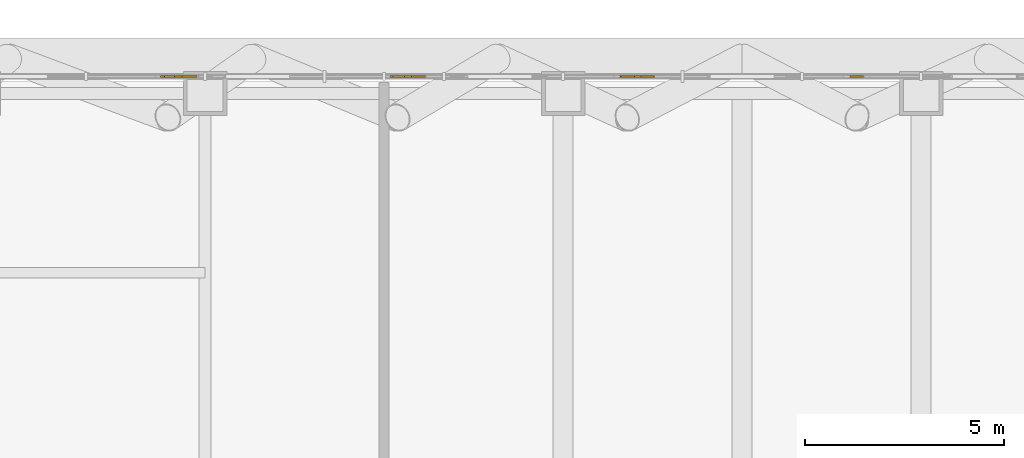
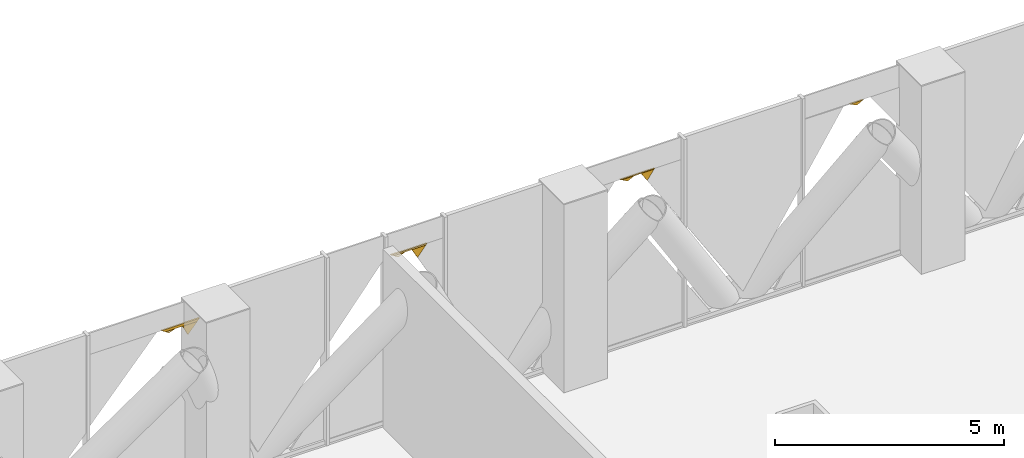
# One storey, part 26 of 29: 10 coverings.
"""IFC4 building model written with IfcOpenShell, lengths in metres."""

from ifc_helpers import new_model, si_unit, direction, frame, origin, place, context, subcontext, project, spatial, polyline, outline, extrude, material, layer, layer_set, type_object, element, save


model = new_model("IFC4")

# Units and contexts
model_context = context("Model", 3, precision=1e-05, world=origin(), true_north=direction((0.0, 1.0)))
body_context = subcontext(model_context, "Body", "Model", "MODEL_VIEW")
ifc_project = project(units=[si_unit("LENGTHUNIT", "METRE"), si_unit("AREAUNIT", "SQUARE_METRE"), si_unit("VOLUMEUNIT", "CUBIC_METRE"), si_unit("PLANEANGLEUNIT", "RADIAN"), si_unit("MASSUNIT", "GRAM", prefix="KILO")], contexts=[model_context])

# Site, building, storey
site_placement = place(None, origin())
site = spatial("IfcSite", under=ifc_project, at=site_placement, CompositionType="ELEMENT")
building_placement = place(site_placement, origin())
building = spatial("IfcBuilding", under=site, at=building_placement, Name="Malebo Sky Hospital", CompositionType="ELEMENT")
storey_placement = place(building_placement, frame((0.0, 0.0, 172.0)))
storey = spatial("IfcBuildingStorey", under=building, at=storey_placement, Name="L41", CompositionType="ELEMENT", Elevation=172.0)

# Coverings
ifc_material = material(Name="Anodised aluminium, natural silver insulated infill panel", Category="aluminium")
ifc_layer = layer(ifc_material, 0.0400390625)
ifc_layer_set = layer_set([ifc_layer], Name="BRACE INFILL PANEL 40")
covering_type = type_object("IfcCoveringType", Name="BRACE INFILL PANEL 40", PredefinedType="CLADDING", material=ifc_layer_set)
covering_1_placement = place(storey_placement, frame((46.099853515625, 86.135009765625, 4.079833984375), z_axis=(0.0, 0.0, 1.0), x_axis=(1.0, 0.0, 0.0)))
element("IfcCovering", 1, at=covering_1_placement, inside=storey, type_object=covering_type, Name="Brace infill panel 2.4", PredefinedType="CLADDING", context=body_context, shape_type="SweptSolid", body=[
    extrude(outline(polyline([(-0.05615234375, 0.0), (0.18408203125, 0.2724609375), (-0.18408203125, 0.2724609375), (-0.05615234375, 0.0)])), frame((0.0, 0.02001953125, 0.0), z_axis=(0.0, -1.0, 0.0), x_axis=(1.0, 0.0, 0.0)), (0.0, 0.0, 1.0), 0.0400390625),
])
covering_2_placement = place(storey_placement, frame((45.602783203125, 86.135009765625, 4.2919921875), z_axis=(0.0, 0.0, 1.0), x_axis=(1.0, 0.0, 0.0)))
element("IfcCovering", 2, at=covering_2_placement, inside=storey, type_object=covering_type, Name="Brace infill panel 2.5", PredefinedType="CLADDING", context=body_context, shape_type="SweptSolid", body=[
    extrude(outline(polyline([(-0.0322265625, 0.0), (0.122802734375, 0.060302734375), (-0.122802734375, 0.060302734375), (-0.0322265625, 0.0)])), frame((0.0, 0.02001953125, 0.0), z_axis=(0.0, -1.0, 0.0), x_axis=(1.0, 0.0, 0.0)), (0.0, 0.0, 1.0), 0.0400390625),
])
covering_3_placement = place(storey_placement, frame((45.861083984375, 86.135009765625, 4.3525390625), z_axis=(0.0, 0.0, 1.0), x_axis=(1.0, 0.0, 0.0)))
element("IfcCovering", 3, at=covering_3_placement, inside=storey, type_object=covering_type, Name="Brace infill panel 2.6", PredefinedType="CLADDING", context=body_context, shape_type="SweptSolid", body=[
    extrude(outline(polyline([(-0.381103515625, 0.0), (0.423095703125, 0.0), (0.481689453125, 0.066650390625), (-0.481689453125, 0.066650390625), (-0.381103515625, 0.0)])), frame((0.0, 0.02001953125, 0.0), z_axis=(0.0, -1.0, 0.0), x_axis=(1.0, 0.0, 0.0)), (0.0, 0.0, 1.0), 0.0400390625),
])
covering_4_placement = place(storey_placement, frame((51.85986328125, 86.135009765625, 4.10888671875), z_axis=(0.0, 0.0, 1.0), x_axis=(1.0, 0.0, 0.0)))
element("IfcCovering", 4, at=covering_4_placement, inside=storey, type_object=covering_type, Name="Brace infill panel 5.3", PredefinedType="CLADDING", context=body_context, shape_type="SweptSolid", body=[
    extrude(outline(polyline([(-0.031982421875, 0.0), (0.175048828125, 0.259033203125), (-0.175048828125, 0.259033203125), (-0.031982421875, 0.0)])), frame((0.0, 0.02001953125, 0.0), z_axis=(0.0, -1.0, 0.0), x_axis=(1.0, 0.0, 0.0)), (0.0, 0.0, 1.0), 0.0400390625),
])
covering_5_placement = place(storey_placement, frame((51.365966796875, 86.135009765625, 4.29296875), z_axis=(0.0, 0.0, 1.0), x_axis=(1.0, 0.0, 0.0)))
element("IfcCovering", 5, at=covering_5_placement, inside=storey, type_object=covering_type, Name="Brace infill panel 5.4", PredefinedType="CLADDING", context=body_context, shape_type="SweptSolid", body=[
    extrude(outline(polyline([(-0.023681640625, 0.0), (0.1474609375, 0.074951171875), (-0.1474609375, 0.074951171875), (-0.023681640625, 0.0)])), frame((0.0, 0.02001953125, 0.0), z_axis=(0.0, -1.0, 0.0), x_axis=(1.0, 0.0, 0.0)), (0.0, 0.0, 1.0), 0.0400390625),
])
covering_6_placement = place(storey_placement, frame((51.609619140625, 86.135009765625, 4.36767578125), z_axis=(0.0, 0.0, 1.0), x_axis=(1.0, 0.0, 0.0)))
element("IfcCovering", 6, at=covering_6_placement, inside=storey, type_object=covering_type, Name="Brace infill panel 5.5", PredefinedType="CLADDING", context=body_context, shape_type="SweptSolid", body=[
    extrude(outline(polyline([(-0.39111328125, 0.0), (0.42529296875, 0.0), (0.45751953125, 0.040283203125), (-0.45751953125, 0.040283203125), (-0.39111328125, 0.0)])), frame((0.0, 0.02001953125, 0.0), z_axis=(0.0, -1.0, 0.0), x_axis=(1.0, 0.0, 0.0)), (0.0, 0.0, 1.0), 0.0400390625),
])
covering_7_placement = place(storey_placement, frame((57.6171875, 86.135009765625, 4.13623046875), z_axis=(0.0, 0.0, 1.0), x_axis=(1.0, 0.0, 0.0)))
element("IfcCovering", 7, at=covering_7_placement, inside=storey, type_object=covering_type, Name="Brace infill panel 7.4", PredefinedType="CLADDING", context=body_context, shape_type="SweptSolid", body=[
    extrude(outline(polyline([(-0.01025390625, 0.0), (0.166259765625, 0.245849609375), (-0.166259765625, 0.245849609375), (-0.01025390625, 0.0)])), frame((0.0, 0.02001953125, 0.0), z_axis=(0.0, -1.0, 0.0), x_axis=(1.0, 0.0, 0.0)), (0.0, 0.0, 1.0), 0.0400390625),
])
covering_8_placement = place(storey_placement, frame((57.12353515625, 86.135009765625, 4.29296875), z_axis=(0.0, 0.0, 1.0), x_axis=(1.0, 0.0, 0.0)))
element("IfcCovering", 8, at=covering_8_placement, inside=storey, type_object=covering_type, Name="Brace infill panel 7.5", PredefinedType="CLADDING", context=body_context, shape_type="SweptSolid", body=[
    extrude(outline(polyline([(-0.00927734375, 0.0), (0.171875, 0.089111328125), (-0.171875, 0.089111328125), (-0.00927734375, 0.0)])), frame((0.0, 0.02001953125, 0.0), z_axis=(0.0, -1.0, 0.0), x_axis=(1.0, 0.0, 0.0)), (0.0, 0.0, 1.0), 0.0400390625),
])
covering_9_placement = place(storey_placement, frame((57.360107421875, 86.135009765625, 4.38232421875), z_axis=(0.0, 0.0, 1.0), x_axis=(1.0, 0.0, 0.0)))
element("IfcCovering", 9, at=covering_9_placement, inside=storey, type_object=covering_type, Name="Brace infill panel 7.6", PredefinedType="CLADDING", context=body_context, shape_type="SweptSolid", body=[
    extrude(outline(polyline([(-0.408447265625, 0.0), (0.42333984375, 0.0), (0.43310546875, 0.013427734375), (-0.43310546875, 0.013427734375), (-0.408447265625, 0.0)])), frame((0.0, 0.02001953125, 0.0), z_axis=(0.0, -1.0, 0.0), x_axis=(1.0, 0.0, 0.0)), (0.0, 0.0, 1.0), 0.0400390625),
])
covering_10_placement = place(storey_placement, frame((62.87646484375, 86.135009765625, 4.29296875), z_axis=(0.0, 0.0, 1.0), x_axis=(1.0, 0.0, 0.0)))
element("IfcCovering", 10, at=covering_10_placement, inside=storey, type_object=covering_type, Name="Brace infill panel 9.4", PredefinedType="CLADDING", context=body_context, shape_type="SweptSolid", body=[
    extrude(outline(polyline([(0.00927734375, 0.0), (0.171875, 0.089111328125), (-0.171875, 0.089111328125), (0.00927734375, 0.0)])), frame((0.0, 0.02001953125, 0.0), z_axis=(0.0, -1.0, 0.0), x_axis=(1.0, 0.0, 0.0)), (0.0, 0.0, 1.0), 0.0400390625),
])

save(model, "model.ifc")
